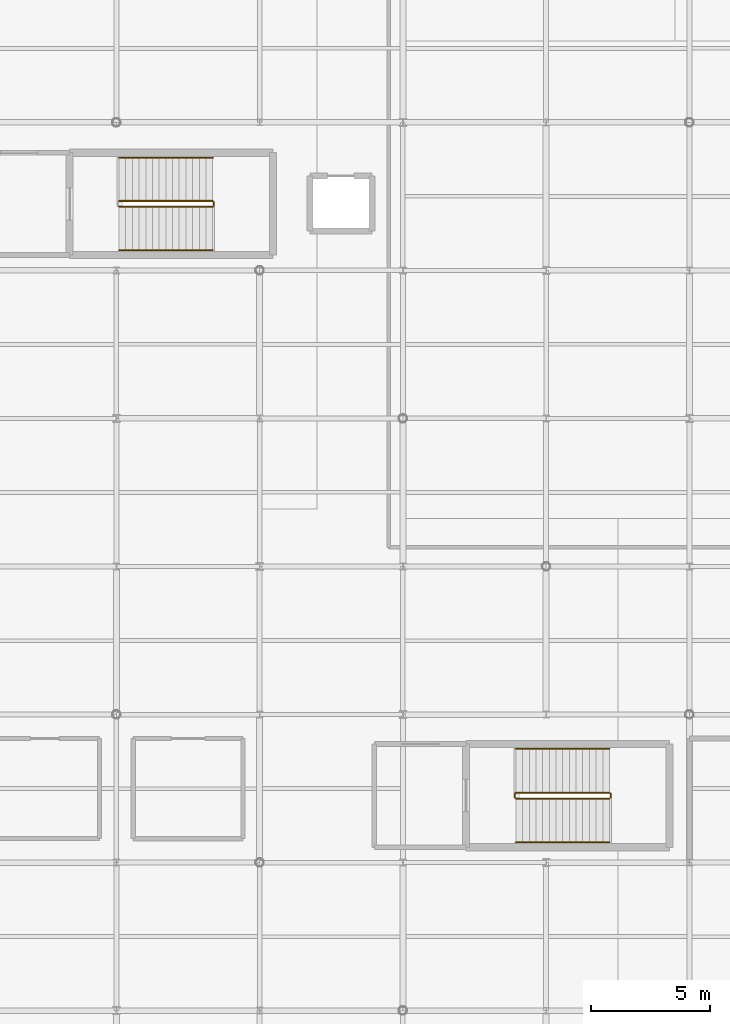
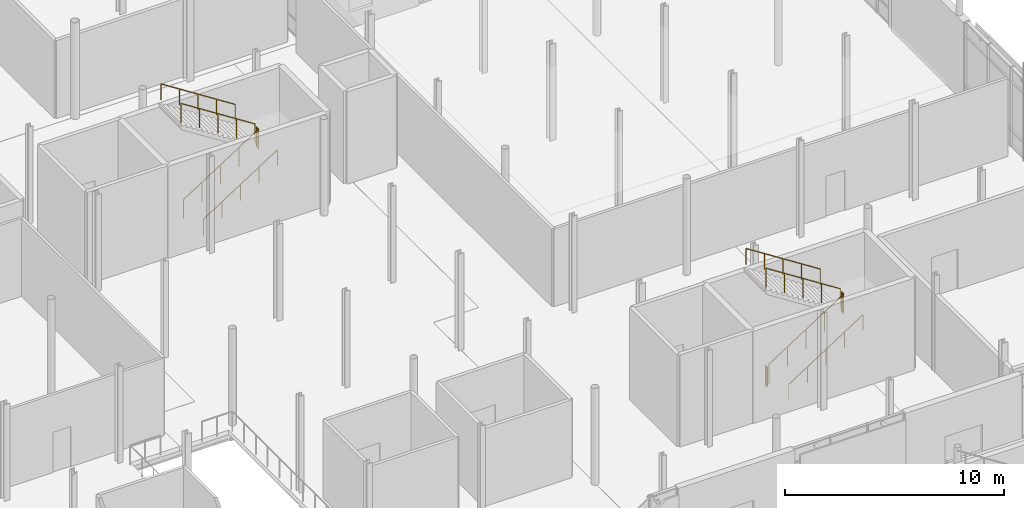
# One storey, part 103 of 105: 11 railings.
"""IFC4 building model written with IfcOpenShell, lengths in metres."""

from ifc_helpers import new_model, si_unit, direction, frame, origin, origin_2d, place, context, subcontext, project, spatial, circle, extrude, material, type_object, element, save


model = new_model("IFC4")

# Units and contexts
model_context = context("Model", 3, precision=1e-05, world=origin(), true_north=direction((0.0, 1.0)))
body_context = subcontext(model_context, "Body", "Model", "MODEL_VIEW")
ifc_project = project(units=[si_unit("LENGTHUNIT", "METRE"), si_unit("AREAUNIT", "SQUARE_METRE"), si_unit("VOLUMEUNIT", "CUBIC_METRE"), si_unit("PLANEANGLEUNIT", "RADIAN"), si_unit("MASSUNIT", "GRAM", prefix="KILO")], contexts=[model_context])

# Site, building, storey
site_placement = place(None, origin())
site = spatial("IfcSite", under=ifc_project, at=site_placement, CompositionType="ELEMENT")
building_placement = place(site_placement, origin())
building = spatial("IfcBuilding", under=site, at=building_placement, Name="Mirzam Square Science Centre", CompositionType="ELEMENT")
storey_placement = place(building_placement, frame((0.0, 0.0, 5.39990234375)))
storey = spatial("IfcBuildingStorey", under=building, at=storey_placement, Name="L01", CompositionType="ELEMENT", Elevation=5.39990234375)

# Railings
ifc_material_1 = material(Name="Bronze-Anodised Architectural Balustrade", Category="aluminium")
railing_type_1 = type_object("IfcRailingType", Name="RL-INT-GUARD-1100", PredefinedType="GUARDRAIL", material=ifc_material_1)
railing_1_placement = place(storey_placement, frame((126.110107421875, 77.06005859375, 0.18017578125)))
element("IfcRailing", 1, at=railing_1_placement, inside=storey, type_object=railing_type_1, Name="L01 ST-04 stair guard 1", PredefinedType="GUARDRAIL", context=body_context, shape_type="SweptSolid", body=[
    extrude(circle(Radius=0.02392578125, at=origin_2d()), frame((0.0, 0.0, 1.076171875), z_axis=(0.841171666519, 0.0, 0.540768182723), x_axis=(0.0, 1.0, 0.0)), (0.0, 0.0, 1.0), 4.66015625),
    extrude(circle(Radius=0.02099609375, at=origin_2d()), origin(), (0.0, 0.0, 1.0), 1.052001953125),
    extrude(circle(Radius=0.02099609375, at=origin_2d()), frame((0.97998046875, 0.0, 0.6298828125)), (0.0, 0.0, 1.0), 1.052001953125),
    extrude(circle(Radius=0.02099609375, at=origin_2d()), frame((1.9599609375, 0.0, 1.260009765625)), (0.0, 0.0, 1.0), 1.052001953125),
    extrude(circle(Radius=0.02099609375, at=origin_2d()), frame((2.93994140625, 0.0, 1.89013671875)), (0.0, 0.0, 1.0), 1.052001953125),
    extrude(circle(Radius=0.02099609375, at=origin_2d()), frame((3.919921875, 0.0, 2.52001953125)), (0.0, 0.0, 1.0), 1.052001953125),
])
railing_2_placement = place(storey_placement, frame((130.080078125, 77.110107421875, 2.7001953125)))
element("IfcRailing", 2, at=railing_2_placement, inside=storey, type_object=railing_type_1, Name="L01 ST-04 stair guard 2", PredefinedType="GUARDRAIL", context=body_context, shape_type="SweptSolid", body=[
    extrude(circle(Radius=0.02392578125, at=origin_2d()), frame((0.0, 0.0, 1.076171875), z_axis=(0.0, 1.0, 0.0), x_axis=(-1.0, 0.0, 0.0)), (0.0, 0.0, 1.0), 0.14990234375),
    extrude(circle(Radius=0.02099609375, at=origin_2d()), origin(), (0.0, 0.0, 1.0), 1.052001953125),
    extrude(circle(Radius=0.02099609375, at=origin_2d()), frame((0.0, 0.14990234375, 0.0)), (0.0, 0.0, 1.0), 1.052001953125),
])
railing_3_placement = place(storey_placement, frame((130.030029296875, 77.31005859375, 2.880126953125)))
element("IfcRailing", 3, at=railing_3_placement, inside=storey, type_object=railing_type_1, Name="L01 ST-04 stair guard 3", PredefinedType="GUARDRAIL", context=body_context, shape_type="SweptSolid", body=[
    extrude(circle(Radius=0.02392578125, at=origin_2d()), frame((0.0, 0.0, 1.076171875), z_axis=(-0.841171666519, 0.0, 0.540768182723), x_axis=(0.0, -1.0, 0.0)), (0.0, 0.0, 1.0), 4.66015625),
    extrude(circle(Radius=0.02099609375, at=origin_2d()), origin(), (0.0, 0.0, 1.0), 1.052001953125),
    extrude(circle(Radius=0.02099609375, at=origin_2d()), frame((-0.97998046875, 0.0, 0.6298828125)), (0.0, 0.0, 1.0), 1.052001953125),
    extrude(circle(Radius=0.02099609375, at=origin_2d()), frame((-1.9599609375, 0.0, 1.260009765625)), (0.0, 0.0, 1.0), 1.052001953125),
    extrude(circle(Radius=0.02099609375, at=origin_2d()), frame((-2.93994140625, 0.0, 1.89013671875)), (0.0, 0.0, 1.0), 1.052001953125),
    extrude(circle(Radius=0.02099609375, at=origin_2d()), frame((-3.919921875, 0.0, 2.52001953125)), (0.0, 0.0, 1.0), 1.052001953125),
])
railing_4_placement = place(storey_placement, frame((142.72998046875, 52.280029296875, 0.18017578125)))
element("IfcRailing", 4, at=railing_4_placement, inside=storey, type_object=railing_type_1, Name="L01 ST-05 stair guard 1", PredefinedType="GUARDRAIL", context=body_context, shape_type="SweptSolid", body=[
    extrude(circle(Radius=0.02392578125, at=origin_2d()), frame((0.0, 0.0, 1.076171875), z_axis=(0.841171666519, 0.0, 0.540768182723), x_axis=(0.0, 1.0, 0.0)), (0.0, 0.0, 1.0), 4.66015625),
    extrude(circle(Radius=0.02099609375, at=origin_2d()), origin(), (0.0, 0.0, 1.0), 1.052001953125),
    extrude(circle(Radius=0.02099609375, at=origin_2d()), frame((0.97998046875, 0.0, 0.6298828125)), (0.0, 0.0, 1.0), 1.052001953125),
    extrude(circle(Radius=0.02099609375, at=origin_2d()), frame((1.9599609375, 0.0, 1.260009765625)), (0.0, 0.0, 1.0), 1.052001953125),
    extrude(circle(Radius=0.02099609375, at=origin_2d()), frame((2.93994140625, 0.0, 1.89013671875)), (0.0, 0.0, 1.0), 1.052001953125),
    extrude(circle(Radius=0.02099609375, at=origin_2d()), frame((3.919921875, 0.0, 2.52001953125)), (0.0, 0.0, 1.0), 1.052001953125),
])
railing_5_placement = place(storey_placement, frame((146.699951171875, 52.330078125, 2.7001953125)))
element("IfcRailing", 5, at=railing_5_placement, inside=storey, type_object=railing_type_1, Name="L01 ST-05 stair guard 2", PredefinedType="GUARDRAIL", context=body_context, shape_type="SweptSolid", body=[
    extrude(circle(Radius=0.02392578125, at=origin_2d()), frame((0.0, 0.0, 1.076171875), z_axis=(0.0, 1.0, 0.0), x_axis=(-1.0, 0.0, 0.0)), (0.0, 0.0, 1.0), 0.14990234375),
    extrude(circle(Radius=0.02099609375, at=origin_2d()), origin(), (0.0, 0.0, 1.0), 1.052001953125),
    extrude(circle(Radius=0.02099609375, at=origin_2d()), frame((0.0, 0.14990234375, 0.0)), (0.0, 0.0, 1.0), 1.052001953125),
])
railing_6_placement = place(storey_placement, frame((146.64990234375, 52.530029296875, 2.880126953125)))
element("IfcRailing", 6, at=railing_6_placement, inside=storey, type_object=railing_type_1, Name="L01 ST-05 stair guard 3", PredefinedType="GUARDRAIL", context=body_context, shape_type="SweptSolid", body=[
    extrude(circle(Radius=0.02392578125, at=origin_2d()), frame((0.0, 0.0, 1.076171875), z_axis=(-0.841171666519, 0.0, 0.540768182723), x_axis=(0.0, -1.0, 0.0)), (0.0, 0.0, 1.0), 4.66015625),
    extrude(circle(Radius=0.02099609375, at=origin_2d()), origin(), (0.0, 0.0, 1.0), 1.052001953125),
    extrude(circle(Radius=0.02099609375, at=origin_2d()), frame((-0.97998046875, 0.0, 0.6298828125)), (0.0, 0.0, 1.0), 1.052001953125),
    extrude(circle(Radius=0.02099609375, at=origin_2d()), frame((-1.9599609375, 0.0, 1.260009765625)), (0.0, 0.0, 1.0), 1.052001953125),
    extrude(circle(Radius=0.02099609375, at=origin_2d()), frame((-2.93994140625, 0.0, 1.89013671875)), (0.0, 0.0, 1.0), 1.052001953125),
    extrude(circle(Radius=0.02099609375, at=origin_2d()), frame((-3.919921875, 0.0, 2.52001953125)), (0.0, 0.0, 1.0), 1.052001953125),
])
railing_7_placement = place(storey_placement, frame((142.679931640625, 52.330078125, 0.0)))
element("IfcRailing", 7, at=railing_7_placement, inside=storey, type_object=railing_type_1, Name="L01 ST-05 stair guard 4", PredefinedType="GUARDRAIL", context=body_context, shape_type="SweptSolid", body=[
    extrude(circle(Radius=0.02392578125, at=origin_2d()), frame((0.0, 0.0, 1.076171875), z_axis=(0.0, 1.0, 0.0), x_axis=(-1.0, 0.0, 0.0)), (0.0, 0.0, 1.0), 0.14990234375),
    extrude(circle(Radius=0.02099609375, at=origin_2d()), origin(), (0.0, 0.0, 1.0), 1.052001953125),
    extrude(circle(Radius=0.02099609375, at=origin_2d()), frame((0.0, 0.14990234375, 0.0)), (0.0, 0.0, 1.0), 1.052001953125),
])
ifc_material_2 = material(Name="Brushed Bronze Tubular Handrail", Category="aluminium")
railing_type_2 = type_object("IfcRailingType", Name="RL-STAIR-HANDRAIL-900", PredefinedType="HANDRAIL", material=ifc_material_2)
railing_8_placement = place(storey_placement, frame((126.110107421875, 75.25, 0.3720703125)))
element("IfcRailing", 8, at=railing_8_placement, inside=storey, type_object=railing_type_2, Name="L01 ST-04 stair handrail 1", PredefinedType="HANDRAIL", context=body_context, shape_type="SweptSolid", body=[
    extrude(circle(Radius=0.02392578125, at=origin_2d()), frame((0.0, 0.0, 0.8759765625), z_axis=(0.841171666519, 0.0, 0.540768182723), x_axis=(0.0, 1.0, 0.0)), (0.0, 0.0, 1.0), 4.66015625),
    extrude(circle(Radius=0.02099609375, at=origin_2d()), origin(), (0.0, 0.0, 1.0), 0.851806640625),
    extrude(circle(Radius=0.02099609375, at=origin_2d()), frame((0.97998046875, 0.0, 0.6298828125)), (0.0, 0.0, 1.0), 0.851806640625),
    extrude(circle(Radius=0.02099609375, at=origin_2d()), frame((1.9599609375, 0.0, 1.260009765625)), (0.0, 0.0, 1.0), 0.851806640625),
    extrude(circle(Radius=0.02099609375, at=origin_2d()), frame((2.93994140625, 0.0, 1.89013671875)), (0.0, 0.0, 1.0), 0.851806640625),
    extrude(circle(Radius=0.02099609375, at=origin_2d()), frame((3.919921875, 0.0, 2.52001953125)), (0.0, 0.0, 1.0), 0.851806640625),
])
railing_9_placement = place(storey_placement, frame((130.030029296875, 79.1201171875, 3.072021484375)))
element("IfcRailing", 9, at=railing_9_placement, inside=storey, type_object=railing_type_2, Name="L01 ST-04 stair handrail 2", PredefinedType="HANDRAIL", context=body_context, shape_type="SweptSolid", body=[
    extrude(circle(Radius=0.02392578125, at=origin_2d()), frame((0.0, 0.0, 0.8759765625), z_axis=(-0.841171666519, 0.0, 0.540768182723), x_axis=(0.0, -1.0, 0.0)), (0.0, 0.0, 1.0), 4.66015625),
    extrude(circle(Radius=0.02099609375, at=origin_2d()), origin(), (0.0, 0.0, 1.0), 0.851806640625),
    extrude(circle(Radius=0.02099609375, at=origin_2d()), frame((-0.97998046875, 0.0, 0.6298828125)), (0.0, 0.0, 1.0), 0.851806640625),
    extrude(circle(Radius=0.02099609375, at=origin_2d()), frame((-1.9599609375, 0.0, 1.260009765625)), (0.0, 0.0, 1.0), 0.851806640625),
    extrude(circle(Radius=0.02099609375, at=origin_2d()), frame((-2.93994140625, 0.0, 1.89013671875)), (0.0, 0.0, 1.0), 0.851806640625),
    extrude(circle(Radius=0.02099609375, at=origin_2d()), frame((-3.919921875, 0.0, 2.52001953125)), (0.0, 0.0, 1.0), 0.851806640625),
])
railing_10_placement = place(storey_placement, frame((142.72998046875, 50.449951171875, 0.3720703125)))
element("IfcRailing", 10, at=railing_10_placement, inside=storey, type_object=railing_type_2, Name="L01 ST-05 stair handrail 1", PredefinedType="HANDRAIL", context=body_context, shape_type="SweptSolid", body=[
    extrude(circle(Radius=0.02392578125, at=origin_2d()), frame((0.0, 0.0, 0.8759765625), z_axis=(0.841171666519, 0.0, 0.540768182723), x_axis=(0.0, 1.0, 0.0)), (0.0, 0.0, 1.0), 4.66015625),
    extrude(circle(Radius=0.02099609375, at=origin_2d()), origin(), (0.0, 0.0, 1.0), 0.851806640625),
    extrude(circle(Radius=0.02099609375, at=origin_2d()), frame((0.97998046875, 0.0, 0.6298828125)), (0.0, 0.0, 1.0), 0.851806640625),
    extrude(circle(Radius=0.02099609375, at=origin_2d()), frame((1.9599609375, 0.0, 1.260009765625)), (0.0, 0.0, 1.0), 0.851806640625),
    extrude(circle(Radius=0.02099609375, at=origin_2d()), frame((2.93994140625, 0.0, 1.89013671875)), (0.0, 0.0, 1.0), 0.851806640625),
    extrude(circle(Radius=0.02099609375, at=origin_2d()), frame((3.919921875, 0.0, 2.52001953125)), (0.0, 0.0, 1.0), 0.851806640625),
])
railing_11_placement = place(storey_placement, frame((146.64990234375, 54.360107421875, 3.072021484375)))
element("IfcRailing", 11, at=railing_11_placement, inside=storey, type_object=railing_type_2, Name="L01 ST-05 stair handrail 2", PredefinedType="HANDRAIL", context=body_context, shape_type="SweptSolid", body=[
    extrude(circle(Radius=0.02392578125, at=origin_2d()), frame((0.0, 0.0, 0.8759765625), z_axis=(-0.841171666519, 0.0, 0.540768182723), x_axis=(0.0, -1.0, 0.0)), (0.0, 0.0, 1.0), 4.66015625),
    extrude(circle(Radius=0.02099609375, at=origin_2d()), origin(), (0.0, 0.0, 1.0), 0.851806640625),
    extrude(circle(Radius=0.02099609375, at=origin_2d()), frame((-0.97998046875, 0.0, 0.6298828125)), (0.0, 0.0, 1.0), 0.851806640625),
    extrude(circle(Radius=0.02099609375, at=origin_2d()), frame((-1.9599609375, 0.0, 1.260009765625)), (0.0, 0.0, 1.0), 0.851806640625),
    extrude(circle(Radius=0.02099609375, at=origin_2d()), frame((-2.93994140625, 0.0, 1.89013671875)), (0.0, 0.0, 1.0), 0.851806640625),
    extrude(circle(Radius=0.02099609375, at=origin_2d()), frame((-3.919921875, 0.0, 2.52001953125)), (0.0, 0.0, 1.0), 0.851806640625),
])

save(model, "model.ifc")
